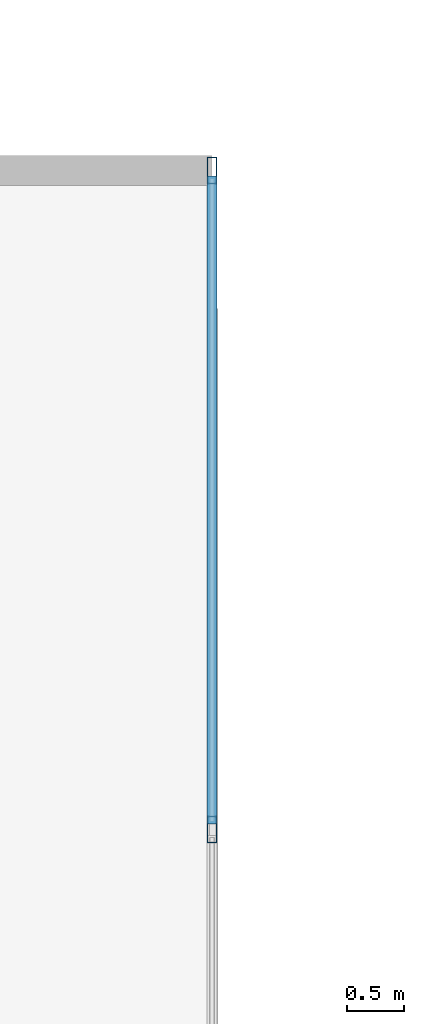
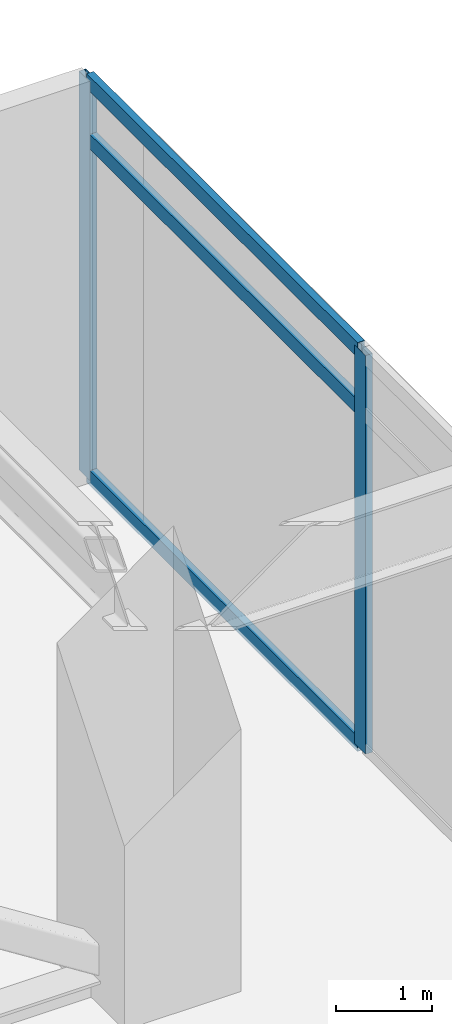
# One storey, part 16 of 21: 5 members, 1 element without a shape of its own.
"""IFC4 building model written with IfcOpenShell, lengths in metres."""

from ifc_helpers import new_model, si_unit, direction, frame, origin, origin_2d, place, context, subcontext, project, spatial, hollow_rectangle, extrude, material, material_profile, profile_set, type_object, element, aggregate, save


model = new_model("IFC4")

# Units and contexts
model_context = context("Model", 3, precision=1e-05, world=origin(), true_north=direction((0.0, 1.0)))
body_context = subcontext(model_context, "Body", "Model", "MODEL_VIEW")
ifc_project = project(units=[si_unit("LENGTHUNIT", "METRE"), si_unit("AREAUNIT", "SQUARE_METRE"), si_unit("VOLUMEUNIT", "CUBIC_METRE"), si_unit("PLANEANGLEUNIT", "RADIAN"), si_unit("MASSUNIT", "GRAM", prefix="KILO")], contexts=[model_context])

# Site, building, storey
site_placement = place(None, origin())
site = spatial("IfcSite", under=ifc_project, at=site_placement, CompositionType="ELEMENT")
building_placement = place(site_placement, origin())
building = spatial("IfcBuilding", under=site, at=building_placement, Name="Kovane Verandah Tower", CompositionType="ELEMENT")
storey_placement = place(building_placement, frame((0.0, 0.0, 189.39990234375)))
storey = spatial("IfcBuildingStorey", under=building, at=storey_placement, Name="L44", CompositionType="ELEMENT", Elevation=189.39990234375)

# Curtain wall, members
ifc_material_1 = material(Name="Champagne Anodised Aluminium Frame with Low-E Clear Laminated Glass", Category="aluminium")
curtain_wall_type = type_object("IfcCurtainWallType", Name="CW-SYS-04-WAIST", PredefinedType="NOTDEFINED", material=ifc_material_1)
curtain_wall_placement = place(storey_placement, origin())
curtain_wall = element("IfcCurtainWall", 1, at=curtain_wall_placement, inside=storey, type_object=curtain_wall_type, Name="L44 E Unitised Curtain Wall", PredefinedType="NOTDEFINED")
ifc_material_2 = material(Name="Champagne Anodised Aluminium 6063-T6", Category="aluminium")
ifc_material_profile_1 = material_profile(ifc_material_2, hollow_rectangle(XDim=0.0849609375, YDim=0.22998046875, WallThickness=0.00390625, at=origin_2d()), Name="AL85x230x4")
ifc_profile_set_1 = profile_set([ifc_material_profile_1], Name="Champagne Anodised Aluminium 6063-T6")
member_type_1 = type_object("IfcMemberType", Name="CW-MUL-85x230", PredefinedType="MULLION", material=ifc_profile_set_1)
member_1_placement = place(storey_placement, frame((62.39990234375, 38.966796875, 0.02001953125), z_axis=(0.0, 0.0, 1.0), x_axis=(1.0, 0.0, 0.0)))
member_1 = element("IfcMember", 2, at=member_1_placement, type_object=member_type_1, Name="L44 E Unitised Curtain Wall Mullion 6", PredefinedType="MULLION", context=body_context, shape_type="SweptSolid", body=[
    extrude(hollow_rectangle(XDim=0.0849609375, YDim=0.22998046875, WallThickness=0.00390625, at=origin_2d()), origin(), (0.0, 0.0, 1.0), 5.06005859375),
])
member_2_placement = place(storey_placement, frame((62.39990234375, 44.699951171875, 0.02001953125), z_axis=(0.0, 0.0, 1.0), x_axis=(1.0, 0.0, 0.0)))
member_2 = element("IfcMember", 3, at=member_2_placement, type_object=member_type_1, Name="L44 E Unitised Curtain Wall Mullion 7", PredefinedType="MULLION", context=body_context, shape_type="SweptSolid", body=[
    extrude(hollow_rectangle(XDim=0.0849609375, YDim=0.22998046875, WallThickness=0.00390625, at=origin_2d()), origin(), (0.0, 0.0, 1.0), 5.06005859375),
])
ifc_material_profile_2 = material_profile(ifc_material_2, hollow_rectangle(XDim=0.0849609375, YDim=0.18994140625, WallThickness=0.00390625, at=origin_2d()), Name="AL85x190x4")
ifc_profile_set_2 = profile_set([ifc_material_profile_2], Name="Champagne Anodised Aluminium 6063-T6")
member_type_2 = type_object("IfcMemberType", Name="CW-TRN-85x190", PredefinedType="USERDEFINED", material=ifc_profile_set_2)
member_3_placement = place(storey_placement, frame((62.39990234375, 39.0166015625, 0.050048828125), z_axis=(0.0, 1.0, 0.0), x_axis=(-1.0, 0.0, 0.0)))
member_3 = element("IfcMember", 4, at=member_3_placement, type_object=member_type_2, Name="L44 E Unitised Curtain Wall Transom TB Bay 6", ObjectType="TRANSOM", PredefinedType="USERDEFINED", context=body_context, shape_type="SweptSolid", body=[
    extrude(hollow_rectangle(XDim=0.0849609375, YDim=0.18994140625, WallThickness=0.00390625, at=origin_2d()), origin(), (0.0, 0.0, 1.0), 5.63330078125),
])
member_4_placement = place(storey_placement, frame((62.39990234375, 39.0166015625, 4.320068359375), z_axis=(0.0, 1.0, 0.0), x_axis=(-1.0, 0.0, 0.0)))
member_4 = element("IfcMember", 5, at=member_4_placement, type_object=member_type_2, Name="L44 E Unitised Curtain Wall Transom TM Bay 6", ObjectType="TRANSOM", PredefinedType="USERDEFINED", context=body_context, shape_type="SweptSolid", body=[
    extrude(hollow_rectangle(XDim=0.0849609375, YDim=0.18994140625, WallThickness=0.00390625, at=origin_2d()), origin(), (0.0, 0.0, 1.0), 5.63330078125),
])
member_5_placement = place(storey_placement, frame((62.39990234375, 39.0166015625, 5.050048828125), z_axis=(0.0, 1.0, 0.0), x_axis=(-1.0, 0.0, 0.0)))
member_5 = element("IfcMember", 6, at=member_5_placement, type_object=member_type_2, Name="L44 E Unitised Curtain Wall Transom TT Bay 6", ObjectType="TRANSOM", PredefinedType="USERDEFINED", context=body_context, shape_type="SweptSolid", body=[
    extrude(hollow_rectangle(XDim=0.0849609375, YDim=0.18994140625, WallThickness=0.00390625, at=origin_2d()), origin(), (0.0, 0.0, 1.0), 5.63330078125),
])
aggregate(curtain_wall, [member_1, member_2, member_3, member_4, member_5])

save(model, "model.ifc")
